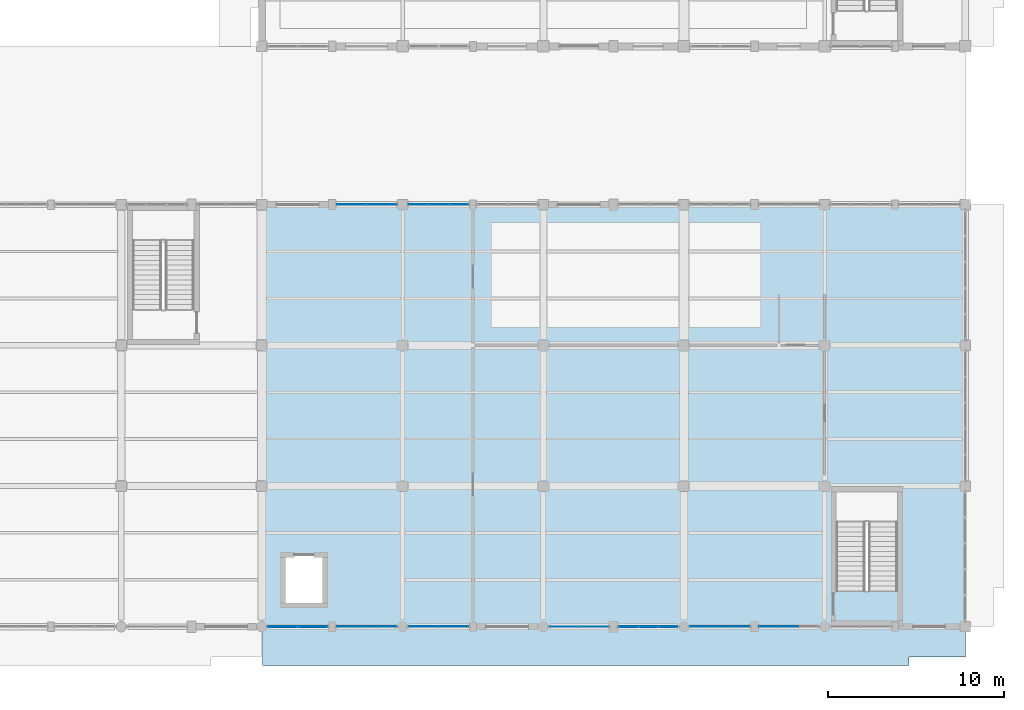
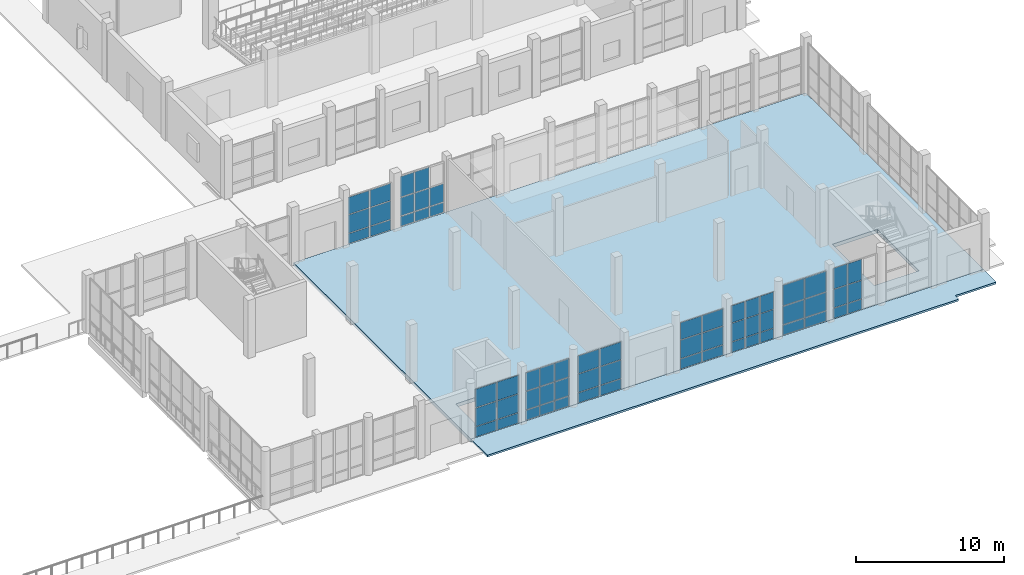
# One storey, part 114 of 156: 62 plates, 2 slabs, 9 elements without a shape of their own.
"""IFC4 building model written with IfcOpenShell, lengths in metres."""

from ifc_helpers import new_model, si_unit, direction, frame, origin, origin_2d, place, context, subcontext, project, spatial, polyline, rectangle, outline, extrude, material, layer, layer_set, type_object, element, aggregate, save


model = new_model("IFC4")

# Units and contexts
model_context = context("Model", 3, precision=1e-05, world=origin(), true_north=direction((0.0, 1.0)))
body_context = subcontext(model_context, "Body", "Model", "MODEL_VIEW")
ifc_project = project(units=[si_unit("LENGTHUNIT", "METRE"), si_unit("AREAUNIT", "SQUARE_METRE"), si_unit("VOLUMEUNIT", "CUBIC_METRE"), si_unit("PLANEANGLEUNIT", "RADIAN"), si_unit("MASSUNIT", "GRAM", prefix="KILO")], contexts=[model_context])

# Site, building, storey
site_placement = place(None, origin())
site = spatial("IfcSite", under=ifc_project, at=site_placement, CompositionType="ELEMENT")
building_placement = place(site_placement, origin())
building = spatial("IfcBuilding", under=site, at=building_placement, Name="Luwemba Playhouse", CompositionType="ELEMENT")
storey_placement = place(building_placement, origin())
storey = spatial("IfcBuildingStorey", under=building, at=storey_placement, Name="L00", CompositionType="ELEMENT", Elevation=0.0)

# Curtain wall, plates
ifc_material_1 = material(Name="Solar-control double glazing", Category="glass")
curtain_wall_type_1 = type_object("IfcCurtainWallType", Name="CW-CW39", PredefinedType="USERDEFINED", material=ifc_material_1)
curtain_wall_1_placement = place(storey_placement, origin())
curtain_wall_1 = element("IfcCurtainWall", 1, at=curtain_wall_1_placement, inside=storey, type_object=curtain_wall_type_1, Name="L00 V5E unitised curtain wall 075", ObjectType="UNITISED GLAZING", PredefinedType="USERDEFINED")
ifc_layer_1 = layer(ifc_material_1, 0.02392578125)
ifc_layer_set_1 = layer_set([ifc_layer_1], Name="Solar-control double glazing")
plate_type_1 = type_object("IfcPlateType", Name="CWP-P1", PredefinedType="CURTAIN_PANEL", material=ifc_layer_set_1)
plate_1_placement = place(storey_placement, frame((150.87255859375, 3.0, 0.06005859375), z_axis=(0.0, 0.0, 1.0), x_axis=(-1.0, 0.0, 0.0)))
plate_1 = element("IfcPlate", 2, at=plate_1_placement, type_object=plate_type_1, Name="CW39 panel 1.1", PredefinedType="CURTAIN_PANEL", context=body_context, shape_type="SweptSolid", body=[
    extrude(rectangle(XDim=1.635009765625, YDim=0.02392578125, at=origin_2d()), origin(), (0.0, 0.0, 1.0), 0.81005859375),
])
plate_2_placement = place(storey_placement, frame((150.87255859375, 3.0, 0.93017578125), z_axis=(0.0, 0.0, 1.0), x_axis=(-1.0, 0.0, 0.0)))
plate_2 = element("IfcPlate", 3, at=plate_2_placement, type_object=plate_type_1, Name="CW39 panel 1.2", PredefinedType="CURTAIN_PANEL", context=body_context, shape_type="SweptSolid", body=[
    extrude(rectangle(XDim=1.635009765625, YDim=0.02392578125, at=origin_2d()), origin(), (0.0, 0.0, 1.0), 1.489990234375),
])
plate_3_placement = place(storey_placement, frame((150.87255859375, 3.0, 2.47998046875), z_axis=(0.0, 0.0, 1.0), x_axis=(-1.0, 0.0, 0.0)))
plate_3 = element("IfcPlate", 4, at=plate_3_placement, type_object=plate_type_1, Name="CW39 panel 1.3", PredefinedType="CURTAIN_PANEL", context=body_context, shape_type="SweptSolid", body=[
    extrude(rectangle(XDim=1.635009765625, YDim=0.02392578125, at=origin_2d()), origin(), (0.0, 0.0, 1.0), 1.39501953125),
])
plate_4_placement = place(storey_placement, frame((149.177490234375, 3.0, 0.06005859375), z_axis=(0.0, 0.0, 1.0), x_axis=(-1.0, 0.0, 0.0)))
plate_4 = element("IfcPlate", 5, at=plate_4_placement, type_object=plate_type_1, Name="CW39 panel 2.1", PredefinedType="CURTAIN_PANEL", context=body_context, shape_type="SweptSolid", body=[
    extrude(rectangle(XDim=1.635009765625, YDim=0.02392578125, at=origin_2d()), origin(), (0.0, 0.0, 1.0), 0.81005859375),
])
plate_5_placement = place(storey_placement, frame((149.177490234375, 3.0, 0.93017578125), z_axis=(0.0, 0.0, 1.0), x_axis=(-1.0, 0.0, 0.0)))
plate_5 = element("IfcPlate", 6, at=plate_5_placement, type_object=plate_type_1, Name="CW39 panel 2.2", PredefinedType="CURTAIN_PANEL", context=body_context, shape_type="SweptSolid", body=[
    extrude(rectangle(XDim=1.635009765625, YDim=0.02392578125, at=origin_2d()), origin(), (0.0, 0.0, 1.0), 1.489990234375),
])
plate_6_placement = place(storey_placement, frame((149.177490234375, 3.0, 2.47998046875), z_axis=(0.0, 0.0, 1.0), x_axis=(-1.0, 0.0, 0.0)))
plate_6 = element("IfcPlate", 7, at=plate_6_placement, type_object=plate_type_1, Name="CW39 panel 2.3", PredefinedType="CURTAIN_PANEL", context=body_context, shape_type="SweptSolid", body=[
    extrude(rectangle(XDim=1.635009765625, YDim=0.02392578125, at=origin_2d()), origin(), (0.0, 0.0, 1.0), 1.39501953125),
])
aggregate(curtain_wall_1, [plate_1, plate_2, plate_3, plate_4, plate_5, plate_6])

curtain_wall_type_2 = type_object("IfcCurtainWallType", Name="CW-CW51", PredefinedType="USERDEFINED", material=ifc_material_1)
curtain_wall_2_placement = place(storey_placement, origin())
curtain_wall_2 = element("IfcCurtainWall", 8, at=curtain_wall_2_placement, inside=storey, type_object=curtain_wall_type_2, Name="L00 V5E unitised curtain wall 060", ObjectType="UNITISED GLAZING", PredefinedType="USERDEFINED")
ifc_layer_2 = layer(ifc_material_1, 0.028076171875)
ifc_layer_set_2 = layer_set([ifc_layer_2], Name="Solar-control double glazing")
plate_type_2 = type_object("IfcPlateType", Name="CWP-P2", PredefinedType="CURTAIN_PANEL", material=ifc_layer_set_2)
plate_7_placement = place(storey_placement, frame((137.110107421875, 27.0, 0.05517578125), z_axis=(0.0, 0.0, 1.0), x_axis=(1.0, 0.0, 0.0)))
plate_7 = element("IfcPlate", 9, at=plate_7_placement, type_object=plate_type_2, Name="CW51 panel 1.1", PredefinedType="CURTAIN_PANEL", context=body_context, shape_type="SweptSolid", body=[
    extrude(rectangle(XDim=1.639892578125, YDim=0.028076171875, at=origin_2d()), origin(), (0.0, 0.0, 1.0), 0.8173828125),
])
plate_8_placement = place(storey_placement, frame((137.110107421875, 27.0, 0.927490234375), z_axis=(0.0, 0.0, 1.0), x_axis=(1.0, 0.0, 0.0)))
plate_8 = element("IfcPlate", 10, at=plate_8_placement, type_object=plate_type_2, Name="CW51 panel 1.2", PredefinedType="CURTAIN_PANEL", context=body_context, shape_type="SweptSolid", body=[
    extrude(rectangle(XDim=1.639892578125, YDim=0.028076171875, at=origin_2d()), origin(), (0.0, 0.0, 1.0), 1.4951171875),
])
plate_9_placement = place(storey_placement, frame((137.110107421875, 27.0, 2.4775390625), z_axis=(0.0, 0.0, 1.0), x_axis=(1.0, 0.0, 0.0)))
plate_9 = element("IfcPlate", 11, at=plate_9_placement, type_object=plate_type_2, Name="CW51 panel 1.3", PredefinedType="CURTAIN_PANEL", context=body_context, shape_type="SweptSolid", body=[
    extrude(rectangle(XDim=1.639892578125, YDim=0.028076171875, at=origin_2d()), origin(), (0.0, 0.0, 1.0), 1.402587890625),
])
plate_10_placement = place(storey_placement, frame((138.81494140625, 27.0, 0.05517578125), z_axis=(0.0, 0.0, 1.0), x_axis=(1.0, 0.0, 0.0)))
plate_10 = element("IfcPlate", 12, at=plate_10_placement, type_object=plate_type_2, Name="CW51 panel 2.1", PredefinedType="CURTAIN_PANEL", context=body_context, shape_type="SweptSolid", body=[
    extrude(rectangle(XDim=1.639892578125, YDim=0.028076171875, at=origin_2d()), origin(), (0.0, 0.0, 1.0), 0.8173828125),
])
plate_11_placement = place(storey_placement, frame((138.81494140625, 27.0, 0.927490234375), z_axis=(0.0, 0.0, 1.0), x_axis=(1.0, 0.0, 0.0)))
plate_11 = element("IfcPlate", 13, at=plate_11_placement, type_object=plate_type_2, Name="CW51 panel 2.2", PredefinedType="CURTAIN_PANEL", context=body_context, shape_type="SweptSolid", body=[
    extrude(rectangle(XDim=1.639892578125, YDim=0.028076171875, at=origin_2d()), origin(), (0.0, 0.0, 1.0), 1.4951171875),
])
plate_12_placement = place(storey_placement, frame((138.81494140625, 27.0, 2.4775390625), z_axis=(0.0, 0.0, 1.0), x_axis=(1.0, 0.0, 0.0)))
plate_12 = element("IfcPlate", 14, at=plate_12_placement, type_object=plate_type_2, Name="CW51 panel 2.3", PredefinedType="CURTAIN_PANEL", context=body_context, shape_type="SweptSolid", body=[
    extrude(rectangle(XDim=1.639892578125, YDim=0.028076171875, at=origin_2d()), origin(), (0.0, 0.0, 1.0), 1.402587890625),
])
aggregate(curtain_wall_2, [plate_7, plate_8, plate_9, plate_10, plate_11, plate_12])

curtain_wall_type_3 = type_object("IfcCurtainWallType", Name="CW-CW61", PredefinedType="USERDEFINED", material=ifc_material_1)
curtain_wall_3_placement = place(storey_placement, origin())
curtain_wall_3 = element("IfcCurtainWall", 15, at=curtain_wall_3_placement, inside=storey, type_object=curtain_wall_type_3, Name="L00 V5E unitised curtain wall 072", ObjectType="UNITISED GLAZING", PredefinedType="USERDEFINED")
plate_13_placement = place(storey_placement, frame((161.96240234375, 3.0, 0.05517578125), z_axis=(0.0, 0.0, 1.0), x_axis=(-1.0, 0.0, 0.0)))
plate_13 = element("IfcPlate", 16, at=plate_13_placement, type_object=plate_type_2, Name="CW61 panel 2.1", PredefinedType="CURTAIN_PANEL", context=body_context, shape_type="SweptSolid", body=[
    extrude(rectangle(XDim=1.09326171875, YDim=0.028076171875, at=origin_2d()), origin(), (0.0, 0.0, 1.0), 0.8173828125),
])
plate_14_placement = place(storey_placement, frame((161.96240234375, 3.0, 0.927490234375), z_axis=(0.0, 0.0, 1.0), x_axis=(-1.0, 0.0, 0.0)))
plate_14 = element("IfcPlate", 17, at=plate_14_placement, type_object=plate_type_2, Name="CW61 panel 2.2", PredefinedType="CURTAIN_PANEL", context=body_context, shape_type="SweptSolid", body=[
    extrude(rectangle(XDim=1.09326171875, YDim=0.028076171875, at=origin_2d()), origin(), (0.0, 0.0, 1.0), 1.4951171875),
])
plate_15_placement = place(storey_placement, frame((161.96240234375, 3.0, 2.4775390625), z_axis=(0.0, 0.0, 1.0), x_axis=(-1.0, 0.0, 0.0)))
plate_15 = element("IfcPlate", 18, at=plate_15_placement, type_object=plate_type_2, Name="CW61 panel 2.3", PredefinedType="CURTAIN_PANEL", context=body_context, shape_type="SweptSolid", body=[
    extrude(rectangle(XDim=1.09326171875, YDim=0.028076171875, at=origin_2d()), origin(), (0.0, 0.0, 1.0), 1.702392578125),
])
plate_16_placement = place(storey_placement, frame((160.8203125, 3.0, 0.05517578125), z_axis=(0.0, 0.0, 1.0), x_axis=(-1.0, 0.0, 0.0)))
plate_16 = element("IfcPlate", 19, at=plate_16_placement, type_object=plate_type_2, Name="CW61 panel 3.1", PredefinedType="CURTAIN_PANEL", context=body_context, shape_type="SweptSolid", body=[
    extrude(rectangle(XDim=1.060791015625, YDim=0.028076171875, at=origin_2d()), origin(), (0.0, 0.0, 1.0), 0.8173828125),
])
plate_17_placement = place(storey_placement, frame((160.8203125, 3.0, 0.927490234375), z_axis=(0.0, 0.0, 1.0), x_axis=(-1.0, 0.0, 0.0)))
plate_17 = element("IfcPlate", 20, at=plate_17_placement, type_object=plate_type_2, Name="CW61 panel 3.2", PredefinedType="CURTAIN_PANEL", context=body_context, shape_type="SweptSolid", body=[
    extrude(rectangle(XDim=1.060791015625, YDim=0.028076171875, at=origin_2d()), origin(), (0.0, 0.0, 1.0), 1.4951171875),
])
plate_18_placement = place(storey_placement, frame((160.8203125, 3.0, 2.4775390625), z_axis=(0.0, 0.0, 1.0), x_axis=(-1.0, 0.0, 0.0)))
plate_18 = element("IfcPlate", 21, at=plate_18_placement, type_object=plate_type_2, Name="CW61 panel 3.3", PredefinedType="CURTAIN_PANEL", context=body_context, shape_type="SweptSolid", body=[
    extrude(rectangle(XDim=1.060791015625, YDim=0.028076171875, at=origin_2d()), origin(), (0.0, 0.0, 1.0), 1.702392578125),
])
aggregate(curtain_wall_3, [plate_13, plate_14, plate_15, plate_16, plate_17, plate_18])

curtain_wall_type_4 = type_object("IfcCurtainWallType", Name="CW-CW64", PredefinedType="USERDEFINED", material=ifc_material_1)
curtain_wall_4_placement = place(storey_placement, origin())
curtain_wall_4 = element("IfcCurtainWall", 22, at=curtain_wall_4_placement, inside=storey, type_object=curtain_wall_type_4, Name="L00 V5E unitised curtain wall 076", ObjectType="UNITISED GLAZING", PredefinedType="USERDEFINED")
plate_19_placement = place(storey_placement, frame((142.90869140625, 3.0, 0.05517578125), z_axis=(0.0, 0.0, 1.0), x_axis=(-1.0, 0.0, 0.0)))
plate_19 = element("IfcPlate", 23, at=plate_19_placement, type_object=plate_type_2, Name="CW64 panel 1.1", PredefinedType="CURTAIN_PANEL", context=body_context, shape_type="SweptSolid", body=[
    extrude(rectangle(XDim=1.652587890625, YDim=0.028076171875, at=origin_2d()), origin(), (0.0, 0.0, 1.0), 0.8173828125),
])
plate_20_placement = place(storey_placement, frame((142.90869140625, 3.0, 0.927490234375), z_axis=(0.0, 0.0, 1.0), x_axis=(-1.0, 0.0, 0.0)))
plate_20 = element("IfcPlate", 24, at=plate_20_placement, type_object=plate_type_2, Name="CW64 panel 1.2", PredefinedType="CURTAIN_PANEL", context=body_context, shape_type="SweptSolid", body=[
    extrude(rectangle(XDim=1.652587890625, YDim=0.028076171875, at=origin_2d()), origin(), (0.0, 0.0, 1.0), 1.4951171875),
])
plate_21_placement = place(storey_placement, frame((142.90869140625, 3.0, 2.4775390625), z_axis=(0.0, 0.0, 1.0), x_axis=(-1.0, 0.0, 0.0)))
plate_21 = element("IfcPlate", 25, at=plate_21_placement, type_object=plate_type_2, Name="CW64 panel 1.3", PredefinedType="CURTAIN_PANEL", context=body_context, shape_type="SweptSolid", body=[
    extrude(rectangle(XDim=1.652587890625, YDim=0.028076171875, at=origin_2d()), origin(), (0.0, 0.0, 1.0), 1.452392578125),
])
plate_22_placement = place(storey_placement, frame((141.191162109375, 3.0, 0.05517578125), z_axis=(0.0, 0.0, 1.0), x_axis=(-1.0, 0.0, 0.0)))
plate_22 = element("IfcPlate", 26, at=plate_22_placement, type_object=plate_type_2, Name="CW64 panel 2.1", PredefinedType="CURTAIN_PANEL", context=body_context, shape_type="SweptSolid", body=[
    extrude(rectangle(XDim=1.652587890625, YDim=0.028076171875, at=origin_2d()), origin(), (0.0, 0.0, 1.0), 0.8173828125),
])
plate_23_placement = place(storey_placement, frame((141.191162109375, 3.0, 0.927490234375), z_axis=(0.0, 0.0, 1.0), x_axis=(-1.0, 0.0, 0.0)))
plate_23 = element("IfcPlate", 27, at=plate_23_placement, type_object=plate_type_2, Name="CW64 panel 2.2", PredefinedType="CURTAIN_PANEL", context=body_context, shape_type="SweptSolid", body=[
    extrude(rectangle(XDim=1.652587890625, YDim=0.028076171875, at=origin_2d()), origin(), (0.0, 0.0, 1.0), 1.4951171875),
])
plate_24_placement = place(storey_placement, frame((141.191162109375, 3.0, 2.4775390625), z_axis=(0.0, 0.0, 1.0), x_axis=(-1.0, 0.0, 0.0)))
plate_24 = element("IfcPlate", 28, at=plate_24_placement, type_object=plate_type_2, Name="CW64 panel 2.3", PredefinedType="CURTAIN_PANEL", context=body_context, shape_type="SweptSolid", body=[
    extrude(rectangle(XDim=1.652587890625, YDim=0.028076171875, at=origin_2d()), origin(), (0.0, 0.0, 1.0), 1.452392578125),
])
aggregate(curtain_wall_4, [plate_19, plate_20, plate_21, plate_22, plate_23, plate_24])

curtain_wall_type_5 = type_object("IfcCurtainWallType", Name="CW-CW52", PredefinedType="USERDEFINED", material=ifc_material_1)
curtain_wall_5_placement = place(storey_placement, origin())
curtain_wall_5 = element("IfcCurtainWall", 29, at=curtain_wall_5_placement, inside=storey, type_object=curtain_wall_type_5, Name="L00 V5E unitised curtain wall 061", ObjectType="UNITISED GLAZING", PredefinedType="USERDEFINED")
ifc_layer_3 = layer(ifc_material_1, 0.031982421875)
ifc_layer_set_3 = layer_set([ifc_layer_3], Name="Solar-control double glazing")
plate_type_3 = type_object("IfcPlateType", Name="CWP-P3", PredefinedType="CURTAIN_PANEL", material=ifc_layer_set_3)
plate_25_placement = place(storey_placement, frame((140.89697265625, 27.0, 0.06494140625), z_axis=(0.0, 0.0, 1.0), x_axis=(1.0, 0.0, 0.0)))
plate_25 = element("IfcPlate", 30, at=plate_25_placement, type_object=plate_type_3, Name="CW52 panel 1.1", PredefinedType="CURTAIN_PANEL", context=body_context, shape_type="SweptSolid", body=[
    extrude(rectangle(XDim=1.084228515625, YDim=0.031982421875, at=origin_2d()), origin(), (0.0, 0.0, 1.0), 0.802490234375),
])
plate_26_placement = place(storey_placement, frame((140.89697265625, 27.0, 0.9326171875), z_axis=(0.0, 0.0, 1.0), x_axis=(1.0, 0.0, 0.0)))
plate_26 = element("IfcPlate", 31, at=plate_26_placement, type_object=plate_type_3, Name="CW52 panel 1.2", PredefinedType="CURTAIN_PANEL", context=body_context, shape_type="SweptSolid", body=[
    extrude(rectangle(XDim=1.084228515625, YDim=0.031982421875, at=origin_2d()), origin(), (0.0, 0.0, 1.0), 1.485107421875),
])
plate_27_placement = place(storey_placement, frame((140.89697265625, 27.0, 2.482421875), z_axis=(0.0, 0.0, 1.0), x_axis=(1.0, 0.0, 0.0)))
plate_27 = element("IfcPlate", 32, at=plate_27_placement, type_object=plate_type_3, Name="CW52 panel 1.3", PredefinedType="CURTAIN_PANEL", context=body_context, shape_type="SweptSolid", body=[
    extrude(rectangle(XDim=1.084228515625, YDim=0.031982421875, at=origin_2d()), origin(), (0.0, 0.0, 1.0), 1.6875),
])
plate_28_placement = place(storey_placement, frame((142.050048828125, 27.0, 0.06494140625), z_axis=(0.0, 0.0, 1.0), x_axis=(1.0, 0.0, 0.0)))
plate_28 = element("IfcPlate", 33, at=plate_28_placement, type_object=plate_type_3, Name="CW52 panel 2.1", PredefinedType="CURTAIN_PANEL", context=body_context, shape_type="SweptSolid", body=[
    extrude(rectangle(XDim=1.111572265625, YDim=0.031982421875, at=origin_2d()), origin(), (0.0, 0.0, 1.0), 0.802490234375),
])
plate_29_placement = place(storey_placement, frame((142.050048828125, 27.0, 0.9326171875), z_axis=(0.0, 0.0, 1.0), x_axis=(1.0, 0.0, 0.0)))
plate_29 = element("IfcPlate", 34, at=plate_29_placement, type_object=plate_type_3, Name="CW52 panel 2.2", PredefinedType="CURTAIN_PANEL", context=body_context, shape_type="SweptSolid", body=[
    extrude(rectangle(XDim=1.111572265625, YDim=0.031982421875, at=origin_2d()), origin(), (0.0, 0.0, 1.0), 1.485107421875),
])
plate_30_placement = place(storey_placement, frame((142.050048828125, 27.0, 2.482421875), z_axis=(0.0, 0.0, 1.0), x_axis=(1.0, 0.0, 0.0)))
plate_30 = element("IfcPlate", 35, at=plate_30_placement, type_object=plate_type_3, Name="CW52 panel 2.3", PredefinedType="CURTAIN_PANEL", context=body_context, shape_type="SweptSolid", body=[
    extrude(rectangle(XDim=1.111572265625, YDim=0.031982421875, at=origin_2d()), origin(), (0.0, 0.0, 1.0), 1.6875),
])
plate_31_placement = place(storey_placement, frame((143.202880859375, 27.0, 0.06494140625), z_axis=(0.0, 0.0, 1.0), x_axis=(1.0, 0.0, 0.0)))
plate_31 = element("IfcPlate", 36, at=plate_31_placement, type_object=plate_type_3, Name="CW52 panel 3.1", PredefinedType="CURTAIN_PANEL", context=body_context, shape_type="SweptSolid", body=[
    extrude(rectangle(XDim=1.084228515625, YDim=0.031982421875, at=origin_2d()), origin(), (0.0, 0.0, 1.0), 0.802490234375),
])
plate_32_placement = place(storey_placement, frame((143.202880859375, 27.0, 0.9326171875), z_axis=(0.0, 0.0, 1.0), x_axis=(1.0, 0.0, 0.0)))
plate_32 = element("IfcPlate", 37, at=plate_32_placement, type_object=plate_type_3, Name="CW52 panel 3.2", PredefinedType="CURTAIN_PANEL", context=body_context, shape_type="SweptSolid", body=[
    extrude(rectangle(XDim=1.084228515625, YDim=0.031982421875, at=origin_2d()), origin(), (0.0, 0.0, 1.0), 1.485107421875),
])
aggregate(curtain_wall_5, [plate_25, plate_26, plate_27, plate_28, plate_29, plate_30, plate_31, plate_32])

curtain_wall_type_6 = type_object("IfcCurtainWallType", Name="CW-CW62", PredefinedType="USERDEFINED", material=ifc_material_1)
curtain_wall_6_placement = place(storey_placement, origin())
curtain_wall_6 = element("IfcCurtainWall", 38, at=curtain_wall_6_placement, inside=storey, type_object=curtain_wall_type_6, Name="L00 V5E unitised curtain wall 073", ObjectType="UNITISED GLAZING", PredefinedType="USERDEFINED")
plate_33_placement = place(storey_placement, frame((158.892578125, 3.0, 0.06494140625), z_axis=(0.0, 0.0, 1.0), x_axis=(-1.0, 0.0, 0.0)))
plate_33 = element("IfcPlate", 39, at=plate_33_placement, type_object=plate_type_3, Name="CW62 panel 1.1", PredefinedType="CURTAIN_PANEL", context=body_context, shape_type="SweptSolid", body=[
    extrude(rectangle(XDim=1.655029296875, YDim=0.031982421875, at=origin_2d()), origin(), (0.0, 0.0, 1.0), 0.802490234375),
])
plate_34_placement = place(storey_placement, frame((158.892578125, 3.0, 0.9326171875), z_axis=(0.0, 0.0, 1.0), x_axis=(-1.0, 0.0, 0.0)))
plate_34 = element("IfcPlate", 40, at=plate_34_placement, type_object=plate_type_3, Name="CW62 panel 1.2", PredefinedType="CURTAIN_PANEL", context=body_context, shape_type="SweptSolid", body=[
    extrude(rectangle(XDim=1.655029296875, YDim=0.031982421875, at=origin_2d()), origin(), (0.0, 0.0, 1.0), 1.485107421875),
])
plate_35_placement = place(storey_placement, frame((158.892578125, 3.0, 2.482421875), z_axis=(0.0, 0.0, 1.0), x_axis=(-1.0, 0.0, 0.0)))
plate_35 = element("IfcPlate", 41, at=plate_35_placement, type_object=plate_type_3, Name="CW62 panel 1.3", PredefinedType="CURTAIN_PANEL", context=body_context, shape_type="SweptSolid", body=[
    extrude(rectangle(XDim=1.655029296875, YDim=0.031982421875, at=origin_2d()), origin(), (0.0, 0.0, 1.0), 1.6875),
])
plate_36_placement = place(storey_placement, frame((157.1826171875, 3.0, 0.06494140625), z_axis=(0.0, 0.0, 1.0), x_axis=(-1.0, 0.0, 0.0)))
plate_36 = element("IfcPlate", 42, at=plate_36_placement, type_object=plate_type_3, Name="CW62 panel 2.1", PredefinedType="CURTAIN_PANEL", context=body_context, shape_type="SweptSolid", body=[
    extrude(rectangle(XDim=1.655029296875, YDim=0.031982421875, at=origin_2d()), origin(), (0.0, 0.0, 1.0), 0.802490234375),
])
plate_37_placement = place(storey_placement, frame((157.1826171875, 3.0, 0.9326171875), z_axis=(0.0, 0.0, 1.0), x_axis=(-1.0, 0.0, 0.0)))
plate_37 = element("IfcPlate", 43, at=plate_37_placement, type_object=plate_type_3, Name="CW62 panel 2.2", PredefinedType="CURTAIN_PANEL", context=body_context, shape_type="SweptSolid", body=[
    extrude(rectangle(XDim=1.655029296875, YDim=0.031982421875, at=origin_2d()), origin(), (0.0, 0.0, 1.0), 1.485107421875),
])
plate_38_placement = place(storey_placement, frame((157.1826171875, 3.0, 2.482421875), z_axis=(0.0, 0.0, 1.0), x_axis=(-1.0, 0.0, 0.0)))
plate_38 = element("IfcPlate", 44, at=plate_38_placement, type_object=plate_type_3, Name="CW62 panel 2.3", PredefinedType="CURTAIN_PANEL", context=body_context, shape_type="SweptSolid", body=[
    extrude(rectangle(XDim=1.655029296875, YDim=0.031982421875, at=origin_2d()), origin(), (0.0, 0.0, 1.0), 1.6875),
])
aggregate(curtain_wall_6, [plate_33, plate_34, plate_35, plate_36, plate_37, plate_38])

curtain_wall_type_7 = type_object("IfcCurtainWallType", Name="CW-CW17", PredefinedType="USERDEFINED", material=ifc_material_1)
curtain_wall_7_placement = place(storey_placement, origin())
curtain_wall_7 = element("IfcCurtainWall", 45, at=curtain_wall_7_placement, inside=storey, type_object=curtain_wall_type_7, Name="L00 V5E unitised curtain wall 077", ObjectType="UNITISED GLAZING", PredefinedType="USERDEFINED")
plate_39_placement = place(storey_placement, frame((139.107177734375, 3.0, 0.06494140625), z_axis=(0.0, 0.0, 1.0), x_axis=(-1.0, 0.0, 0.0)))
plate_39 = element("IfcPlate", 46, at=plate_39_placement, type_object=plate_type_3, Name="CW17 panel 1.1", PredefinedType="CURTAIN_PANEL", context=body_context, shape_type="SweptSolid", body=[
    extrude(rectangle(XDim=1.075927734375, YDim=0.031982421875, at=origin_2d()), origin(), (0.0, 0.0, 1.0), 0.802490234375),
])
plate_40_placement = place(storey_placement, frame((139.107177734375, 3.0, 0.9326171875), z_axis=(0.0, 0.0, 1.0), x_axis=(-1.0, 0.0, 0.0)))
plate_40 = element("IfcPlate", 47, at=plate_40_placement, type_object=plate_type_3, Name="CW17 panel 1.2", PredefinedType="CURTAIN_PANEL", context=body_context, shape_type="SweptSolid", body=[
    extrude(rectangle(XDim=1.075927734375, YDim=0.031982421875, at=origin_2d()), origin(), (0.0, 0.0, 1.0), 1.485107421875),
])
plate_41_placement = place(storey_placement, frame((139.107177734375, 3.0, 2.482421875), z_axis=(0.0, 0.0, 1.0), x_axis=(-1.0, 0.0, 0.0)))
plate_41 = element("IfcPlate", 48, at=plate_41_placement, type_object=plate_type_3, Name="CW17 panel 1.3", PredefinedType="CURTAIN_PANEL", context=body_context, shape_type="SweptSolid", body=[
    extrude(rectangle(XDim=1.075927734375, YDim=0.031982421875, at=origin_2d()), origin(), (0.0, 0.0, 1.0), 1.487548828125),
])
plate_42_placement = place(storey_placement, frame((137.96240234375, 3.0, 0.06494140625), z_axis=(0.0, 0.0, 1.0), x_axis=(-1.0, 0.0, 0.0)))
plate_42 = element("IfcPlate", 49, at=plate_42_placement, type_object=plate_type_3, Name="CW17 panel 2.1", PredefinedType="CURTAIN_PANEL", context=body_context, shape_type="SweptSolid", body=[
    extrude(rectangle(XDim=1.103271484375, YDim=0.031982421875, at=origin_2d()), origin(), (0.0, 0.0, 1.0), 0.802490234375),
])
plate_43_placement = place(storey_placement, frame((137.96240234375, 3.0, 0.9326171875), z_axis=(0.0, 0.0, 1.0), x_axis=(-1.0, 0.0, 0.0)))
plate_43 = element("IfcPlate", 50, at=plate_43_placement, type_object=plate_type_3, Name="CW17 panel 2.2", PredefinedType="CURTAIN_PANEL", context=body_context, shape_type="SweptSolid", body=[
    extrude(rectangle(XDim=1.103271484375, YDim=0.031982421875, at=origin_2d()), origin(), (0.0, 0.0, 1.0), 1.485107421875),
])
plate_44_placement = place(storey_placement, frame((137.96240234375, 3.0, 2.482421875), z_axis=(0.0, 0.0, 1.0), x_axis=(-1.0, 0.0, 0.0)))
plate_44 = element("IfcPlate", 51, at=plate_44_placement, type_object=plate_type_3, Name="CW17 panel 2.3", PredefinedType="CURTAIN_PANEL", context=body_context, shape_type="SweptSolid", body=[
    extrude(rectangle(XDim=1.103271484375, YDim=0.031982421875, at=origin_2d()), origin(), (0.0, 0.0, 1.0), 1.487548828125),
])
plate_45_placement = place(storey_placement, frame((136.81787109375, 3.0, 0.06494140625), z_axis=(0.0, 0.0, 1.0), x_axis=(-1.0, 0.0, 0.0)))
plate_45 = element("IfcPlate", 52, at=plate_45_placement, type_object=plate_type_3, Name="CW17 panel 3.1", PredefinedType="CURTAIN_PANEL", context=body_context, shape_type="SweptSolid", body=[
    extrude(rectangle(XDim=1.075927734375, YDim=0.031982421875, at=origin_2d()), origin(), (0.0, 0.0, 1.0), 0.802490234375),
])
plate_46_placement = place(storey_placement, frame((136.81787109375, 3.0, 0.9326171875), z_axis=(0.0, 0.0, 1.0), x_axis=(-1.0, 0.0, 0.0)))
plate_46 = element("IfcPlate", 53, at=plate_46_placement, type_object=plate_type_3, Name="CW17 panel 3.2", PredefinedType="CURTAIN_PANEL", context=body_context, shape_type="SweptSolid", body=[
    extrude(rectangle(XDim=1.075927734375, YDim=0.031982421875, at=origin_2d()), origin(), (0.0, 0.0, 1.0), 1.485107421875),
])
plate_47_placement = place(storey_placement, frame((136.81787109375, 3.0, 2.482421875), z_axis=(0.0, 0.0, 1.0), x_axis=(-1.0, 0.0, 0.0)))
plate_47 = element("IfcPlate", 54, at=plate_47_placement, type_object=plate_type_3, Name="CW17 panel 3.3", PredefinedType="CURTAIN_PANEL", context=body_context, shape_type="SweptSolid", body=[
    extrude(rectangle(XDim=1.075927734375, YDim=0.031982421875, at=origin_2d()), origin(), (0.0, 0.0, 1.0), 1.487548828125),
])
aggregate(curtain_wall_7, [plate_39, plate_40, plate_41, plate_42, plate_43, plate_44, plate_45, plate_46, plate_47])

curtain_wall_type_8 = type_object("IfcCurtainWallType", Name="CW-CW63", PredefinedType="USERDEFINED", material=ifc_material_1)
curtain_wall_8_placement = place(storey_placement, origin())
curtain_wall_8 = element("IfcCurtainWall", 55, at=curtain_wall_8_placement, inside=storey, type_object=curtain_wall_type_8, Name="L00 V5E unitised curtain wall 074", ObjectType="UNITISED GLAZING", PredefinedType="USERDEFINED")
ifc_layer_4 = layer(ifc_material_1, 0.035888671875)
ifc_layer_set_4 = layer_set([ifc_layer_4], Name="Solar-control double glazing")
plate_type_4 = type_object("IfcPlateType", Name="CWP-P4", PredefinedType="CURTAIN_PANEL", material=ifc_layer_set_4)
plate_48_placement = place(storey_placement, frame((155.107421875, 3.0, 0.0498046875), z_axis=(0.0, 0.0, 1.0), x_axis=(-1.0, 0.0, 0.0)))
plate_48 = element("IfcPlate", 56, at=plate_48_placement, type_object=plate_type_4, Name="CW63 panel 1.1", PredefinedType="CURTAIN_PANEL", context=body_context, shape_type="SweptSolid", body=[
    extrude(rectangle(XDim=1.044921875, YDim=0.035888671875, at=origin_2d()), origin(), (0.0, 0.0, 1.0), 0.824951171875),
])
plate_49_placement = place(storey_placement, frame((155.107421875, 3.0, 0.925048828125), z_axis=(0.0, 0.0, 1.0), x_axis=(-1.0, 0.0, 0.0)))
plate_49 = element("IfcPlate", 57, at=plate_49_placement, type_object=plate_type_4, Name="CW63 panel 1.2", PredefinedType="CURTAIN_PANEL", context=body_context, shape_type="SweptSolid", body=[
    extrude(rectangle(XDim=1.044921875, YDim=0.035888671875, at=origin_2d()), origin(), (0.0, 0.0, 1.0), 1.5),
])
plate_50_placement = place(storey_placement, frame((155.107421875, 3.0, 2.47509765625), z_axis=(0.0, 0.0, 1.0), x_axis=(-1.0, 0.0, 0.0)))
plate_50 = element("IfcPlate", 58, at=plate_50_placement, type_object=plate_type_4, Name="CW63 panel 1.3", PredefinedType="CURTAIN_PANEL", context=body_context, shape_type="SweptSolid", body=[
    extrude(rectangle(XDim=1.044921875, YDim=0.035888671875, at=origin_2d()), origin(), (0.0, 0.0, 1.0), 1.409912109375),
])
plate_51_placement = place(storey_placement, frame((153.97509765625, 3.0, 0.0498046875), z_axis=(0.0, 0.0, 1.0), x_axis=(-1.0, 0.0, 0.0)))
plate_51 = element("IfcPlate", 59, at=plate_51_placement, type_object=plate_type_4, Name="CW63 panel 2.1", PredefinedType="CURTAIN_PANEL", context=body_context, shape_type="SweptSolid", body=[
    extrude(rectangle(XDim=1.080078125, YDim=0.035888671875, at=origin_2d()), origin(), (0.0, 0.0, 1.0), 0.824951171875),
])
plate_52_placement = place(storey_placement, frame((153.97509765625, 3.0, 0.925048828125), z_axis=(0.0, 0.0, 1.0), x_axis=(-1.0, 0.0, 0.0)))
plate_52 = element("IfcPlate", 60, at=plate_52_placement, type_object=plate_type_4, Name="CW63 panel 2.2", PredefinedType="CURTAIN_PANEL", context=body_context, shape_type="SweptSolid", body=[
    extrude(rectangle(XDim=1.080078125, YDim=0.035888671875, at=origin_2d()), origin(), (0.0, 0.0, 1.0), 1.5),
])
plate_53_placement = place(storey_placement, frame((153.97509765625, 3.0, 2.47509765625), z_axis=(0.0, 0.0, 1.0), x_axis=(-1.0, 0.0, 0.0)))
plate_53 = element("IfcPlate", 61, at=plate_53_placement, type_object=plate_type_4, Name="CW63 panel 2.3", PredefinedType="CURTAIN_PANEL", context=body_context, shape_type="SweptSolid", body=[
    extrude(rectangle(XDim=1.080078125, YDim=0.035888671875, at=origin_2d()), origin(), (0.0, 0.0, 1.0), 1.409912109375),
])
plate_54_placement = place(storey_placement, frame((152.842529296875, 3.0, 0.0498046875), z_axis=(0.0, 0.0, 1.0), x_axis=(-1.0, 0.0, 0.0)))
plate_54 = element("IfcPlate", 62, at=plate_54_placement, type_object=plate_type_4, Name="CW63 panel 3.1", PredefinedType="CURTAIN_PANEL", context=body_context, shape_type="SweptSolid", body=[
    extrude(rectangle(XDim=1.044921875, YDim=0.035888671875, at=origin_2d()), origin(), (0.0, 0.0, 1.0), 0.824951171875),
])
plate_55_placement = place(storey_placement, frame((152.842529296875, 3.0, 0.925048828125), z_axis=(0.0, 0.0, 1.0), x_axis=(-1.0, 0.0, 0.0)))
plate_55 = element("IfcPlate", 63, at=plate_55_placement, type_object=plate_type_4, Name="CW63 panel 3.2", PredefinedType="CURTAIN_PANEL", context=body_context, shape_type="SweptSolid", body=[
    extrude(rectangle(XDim=1.044921875, YDim=0.035888671875, at=origin_2d()), origin(), (0.0, 0.0, 1.0), 1.5),
])
plate_56_placement = place(storey_placement, frame((152.842529296875, 3.0, 2.47509765625), z_axis=(0.0, 0.0, 1.0), x_axis=(-1.0, 0.0, 0.0)))
plate_56 = element("IfcPlate", 64, at=plate_56_placement, type_object=plate_type_4, Name="CW63 panel 3.3", PredefinedType="CURTAIN_PANEL", context=body_context, shape_type="SweptSolid", body=[
    extrude(rectangle(XDim=1.044921875, YDim=0.035888671875, at=origin_2d()), origin(), (0.0, 0.0, 1.0), 1.409912109375),
])
aggregate(curtain_wall_8, [plate_48, plate_49, plate_50, plate_51, plate_52, plate_53, plate_54, plate_55, plate_56])

curtain_wall_type_9 = type_object("IfcCurtainWallType", Name="CW-CW14", PredefinedType="USERDEFINED", material=ifc_material_1)
curtain_wall_9_placement = place(storey_placement, origin())
curtain_wall_9 = element("IfcCurtainWall", 65, at=curtain_wall_9_placement, inside=storey, type_object=curtain_wall_type_9, Name="L00 V5E unitised curtain wall 078", ObjectType="UNITISED GLAZING", PredefinedType="USERDEFINED")
plate_57_placement = place(storey_placement, frame((134.888671875, 3.0, 0.0498046875), z_axis=(0.0, 0.0, 1.0), x_axis=(-1.0, 0.0, 0.0)))
plate_57 = element("IfcPlate", 66, at=plate_57_placement, type_object=plate_type_4, Name="CW14 panel 1.1", PredefinedType="CURTAIN_PANEL", context=body_context, shape_type="SweptSolid", body=[
    extrude(rectangle(XDim=1.632568359375, YDim=0.035888671875, at=origin_2d()), origin(), (0.0, 0.0, 1.0), 0.824951171875),
])
plate_58_placement = place(storey_placement, frame((134.888671875, 3.0, 0.925048828125), z_axis=(0.0, 0.0, 1.0), x_axis=(-1.0, 0.0, 0.0)))
plate_58 = element("IfcPlate", 67, at=plate_58_placement, type_object=plate_type_4, Name="CW14 panel 1.2", PredefinedType="CURTAIN_PANEL", context=body_context, shape_type="SweptSolid", body=[
    extrude(rectangle(XDim=1.632568359375, YDim=0.035888671875, at=origin_2d()), origin(), (0.0, 0.0, 1.0), 1.5),
])
plate_59_placement = place(storey_placement, frame((134.888671875, 3.0, 2.47509765625), z_axis=(0.0, 0.0, 1.0), x_axis=(-1.0, 0.0, 0.0)))
plate_59 = element("IfcPlate", 68, at=plate_59_placement, type_object=plate_type_4, Name="CW14 panel 1.3", PredefinedType="CURTAIN_PANEL", context=body_context, shape_type="SweptSolid", body=[
    extrude(rectangle(XDim=1.632568359375, YDim=0.035888671875, at=origin_2d()), origin(), (0.0, 0.0, 1.0), 1.510009765625),
])
plate_60_placement = place(storey_placement, frame((133.186279296875, 3.0, 0.0498046875), z_axis=(0.0, 0.0, 1.0), x_axis=(-1.0, 0.0, 0.0)))
plate_60 = element("IfcPlate", 69, at=plate_60_placement, type_object=plate_type_4, Name="CW14 panel 2.1", PredefinedType="CURTAIN_PANEL", context=body_context, shape_type="SweptSolid", body=[
    extrude(rectangle(XDim=1.632568359375, YDim=0.035888671875, at=origin_2d()), origin(), (0.0, 0.0, 1.0), 0.824951171875),
])
plate_61_placement = place(storey_placement, frame((133.186279296875, 3.0, 0.925048828125), z_axis=(0.0, 0.0, 1.0), x_axis=(-1.0, 0.0, 0.0)))
plate_61 = element("IfcPlate", 70, at=plate_61_placement, type_object=plate_type_4, Name="CW14 panel 2.2", PredefinedType="CURTAIN_PANEL", context=body_context, shape_type="SweptSolid", body=[
    extrude(rectangle(XDim=1.632568359375, YDim=0.035888671875, at=origin_2d()), origin(), (0.0, 0.0, 1.0), 1.5),
])
plate_62_placement = place(storey_placement, frame((133.186279296875, 3.0, 2.47509765625), z_axis=(0.0, 0.0, 1.0), x_axis=(-1.0, 0.0, 0.0)))
plate_62 = element("IfcPlate", 71, at=plate_62_placement, type_object=plate_type_4, Name="CW14 panel 2.3", PredefinedType="CURTAIN_PANEL", context=body_context, shape_type="SweptSolid", body=[
    extrude(rectangle(XDim=1.632568359375, YDim=0.035888671875, at=origin_2d()), origin(), (0.0, 0.0, 1.0), 1.510009765625),
])
aggregate(curtain_wall_9, [plate_57, plate_58, plate_59, plate_60, plate_61, plate_62])

# Slabs
ifc_material_2 = material(Name="Concrete C40/50", Category="concrete")
ifc_layer_5 = layer(ifc_material_2, 0.300048828125)
ifc_layer_set_5 = layer_set([ifc_layer_5], Name="Concrete C40/50")
slab_type_1 = type_object("IfcSlabType", Name="SLB-HVY-300", PredefinedType="FLOOR", material=ifc_layer_set_5)
slab_1_placement = place(storey_placement, frame((0.0, 0.0, -0.300048828125)))
element("IfcSlab", 72, at=slab_1_placement, inside=storey, type_object=slab_type_1, Name="L00 V5E structural floor slab", PredefinedType="FLOOR", context=body_context, shape_type="SweptSolid", body=[
    extrude(outline(polyline([(172.0, 27.0), (172.0, 3.0), (132.030029296875, 3.0), (132.030029296875, 27.0), (172.0, 27.0)]), holes=[polyline([(135.60009765625, 4.199951171875), (135.60009765625, 7.10009765625), (133.199951171875, 7.10009765625), (133.199951171875, 4.199951171875), (135.60009765625, 4.199951171875)]), polyline([(168.14990234375, 5.0400390625), (168.14990234375, 10.659912109375), (164.64990234375, 10.659912109375), (164.64990234375, 5.0400390625), (168.14990234375, 5.0400390625)])]), origin(), (0.0, 0.0, 1.0), 0.300048828125),
])
ifc_material_3 = material(Name="Concrete C32/40", Category="concrete")
ifc_layer_6 = layer(ifc_material_3, 0.159912109375)
ifc_layer_set_6 = layer_set([ifc_layer_6], Name="Concrete C32/40")
slab_type_2 = type_object("IfcSlabType", Name="SLB-PAV-160", PredefinedType="USERDEFINED", material=ifc_layer_set_6)
slab_2_placement = place(storey_placement, frame((0.0, 0.0, -0.159912109375)))
element("IfcSlab", 73, at=slab_2_placement, inside=storey, type_object=slab_type_2, Name="L00 external civic plaza paving PAV-SE-E", ObjectType="PAVING", PredefinedType="USERDEFINED", context=body_context, shape_type="SweptSolid", body=[
    extrude(outline(polyline([(132.030029296875, 0.800048828125), (168.800048828125, 0.800048828125), (168.800048828125, 1.280029296875), (172.0, 1.280029296875), (172.0, 3.0), (132.030029296875, 3.0), (132.030029296875, 0.800048828125)])), origin(), (0.0, 0.0, 1.0), 0.159912109375),
])

save(model, "model.ifc")
